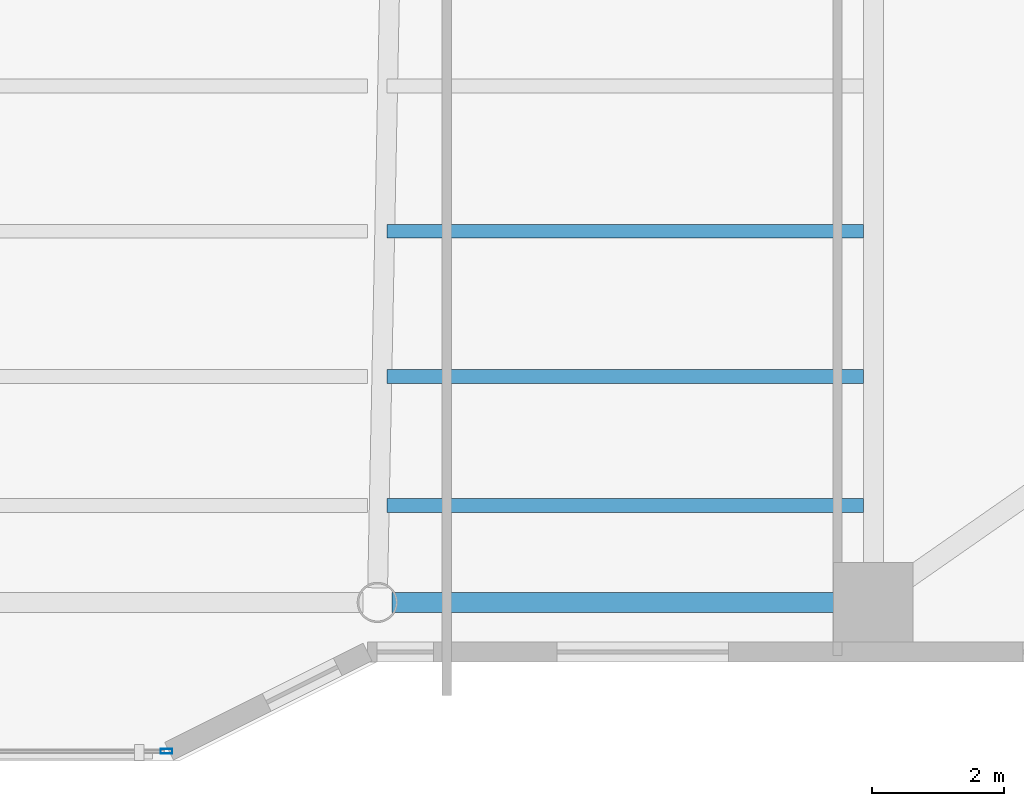
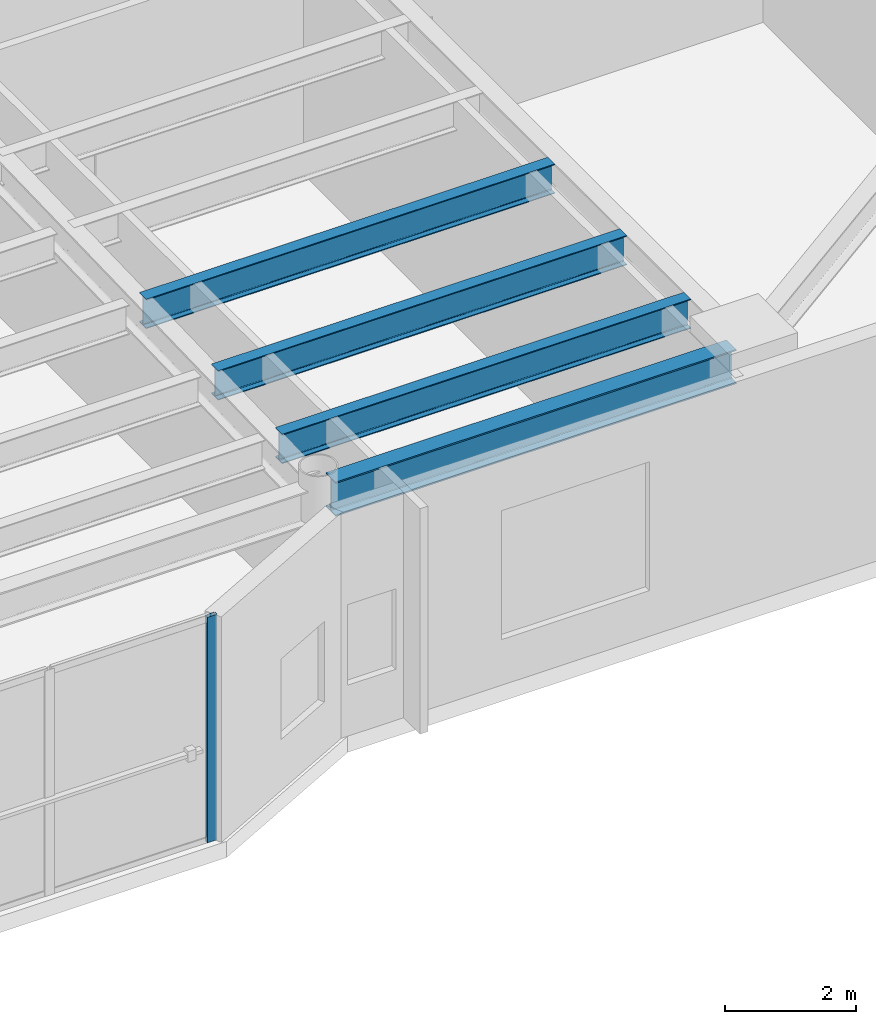
# One storey, part 11 of 39: 4 beams, 1 member, 1 element without a shape of its own.
"""IFC4 building model written with IfcOpenShell, lengths in metres."""

from ifc_helpers import new_model, si_unit, direction, frame, origin, origin_2d, place, context, subcontext, project, spatial, hollow_rectangle, i_section, extrude, material, layer, layer_set, material_profile, profile_set, type_object, element, aggregate, save


model = new_model("IFC4")

# Units and contexts
model_context = context("Model", 3, precision=1e-05, world=origin(), true_north=direction((0.0, 1.0)))
body_context = subcontext(model_context, "Body", "Model", "MODEL_VIEW")
ifc_project = project(units=[si_unit("LENGTHUNIT", "METRE"), si_unit("AREAUNIT", "SQUARE_METRE"), si_unit("VOLUMEUNIT", "CUBIC_METRE"), si_unit("PLANEANGLEUNIT", "RADIAN"), si_unit("MASSUNIT", "GRAM", prefix="KILO")], contexts=[model_context])

# Site, building, storey
site_placement = place(None, origin())
site = spatial("IfcSite", under=ifc_project, at=site_placement, CompositionType="ELEMENT")
building_placement = place(site_placement, origin())
building = spatial("IfcBuilding", under=site, at=building_placement, Name="Tarnavaz Court Tower", CompositionType="ELEMENT")
storey_placement = place(building_placement, frame((0.0, 0.0, 68.699951171875)))
storey = spatial("IfcBuildingStorey", under=building, at=storey_placement, Name="L18", CompositionType="ELEMENT", Elevation=68.699951171875)

# Beams
ifc_material_1 = material(Name="Steel S355", Category="steel")
ifc_material_profile_1 = material_profile(ifc_material_1, i_section(OverallWidth=0.2099609375, OverallDepth=0.550048828125, WebThickness=0.010986328125, FlangeThickness=0.01708984375, FilletRadius=0.02392578125, at=origin_2d()), Name="IPE 550")
ifc_profile_set_1 = profile_set([ifc_material_profile_1], Name="Steel S355")
beam_type_1 = type_object("IfcBeamType", Name="BM-J-IPE550", PredefinedType="JOIST", material=ifc_profile_set_1)
for number, where, z_axis, x_axis, name in (
    (1, (7.64990234375, -17.18798828125, 3.925048828125), (1.0, 0.0, 0.0), (0.0, 1.0, 0.0), "L18 Beam JS3-3"),
    (2, (7.64990234375, -19.384033203125, 3.925048828125), (1.0, 0.0, 0.0), (0.0, 1.0, 0.0), "L18 Beam JS4-3"),
    (3, (7.64990234375, -21.3359375, 3.925048828125), (1.0, 0.0, 0.0), (0.0, 1.0, 0.0), "L18 Beam JS5-3"),
):
    element("IfcBeam", number, at=place(storey_placement, frame(where, z_axis=z_axis, x_axis=x_axis)), inside=storey, type_object=beam_type_1, Name=name, PredefinedType="JOIST", context=body_context, shape_type="SweptSolid", body=[
        extrude(i_section(OverallWidth=0.2099609375, OverallDepth=0.550048828125, WebThickness=0.010986328125, FlangeThickness=0.01708984375, FilletRadius=0.02392578125, at=origin_2d()), origin(), (0.0, 0.0, 1.0), 7.2001953125),
    ])
ifc_material_profile_2 = material_profile(ifc_material_1, i_section(OverallWidth=0.300048828125, OverallDepth=0.639892578125, WebThickness=0.013427734375, FlangeThickness=0.02587890625, FilletRadius=0.027099609375, at=origin_2d()), Name="HEA 650")
ifc_profile_set_2 = profile_set([ifc_material_profile_2], Name="Steel S355")
beam_type_2 = type_object("IfcBeamType", Name="BM-SP-HEA650", PredefinedType="SPANDREL", material=ifc_profile_set_2)
beam_placement = place(storey_placement, frame((7.719970703125, -22.800048828125, 3.880126953125), z_axis=(1.0, 0.0, 0.0), x_axis=(0.0, 1.0, 0.0)))
element("IfcBeam", 4, at=beam_placement, inside=storey, type_object=beam_type_2, Name="L18 Beam PR-PS-3-PS-4", PredefinedType="SPANDREL", context=body_context, shape_type="SweptSolid", body=[
    extrude(i_section(OverallWidth=0.300048828125, OverallDepth=0.639892578125, WebThickness=0.013427734375, FlangeThickness=0.02587890625, FilletRadius=0.027099609375, at=origin_2d()), origin(), (0.0, 0.0, 1.0), 7.06005859375),
])

# Curtain wall, member
ifc_material_2 = material(Name="Anodised Aluminium 6063-T6 and Solar Low-E Glazing", Category="aluminium")
ifc_layer = layer(ifc_material_2, 0.179931640625)
ifc_layer_set = layer_set([ifc_layer], Name="Anodised Aluminium 6063-T6 and Solar Low-E Glazing")
curtain_wall_type = type_object("IfcCurtainWallType", Name="CW-SYS-02", PredefinedType="NOTDEFINED", material=ifc_layer_set)
curtain_wall_placement = place(storey_placement, origin())
curtain_wall = element("IfcCurtainWall", 5, at=curtain_wall_placement, inside=storey, type_object=curtain_wall_type, Name="L18 Iwan Prow Curtain Wall 17", PredefinedType="NOTDEFINED")
ifc_material_3 = material(Name="Anodised Aluminium 6063-T6", Category="aluminium")
ifc_material_profile_3 = material_profile(ifc_material_3, hollow_rectangle(XDim=0.074951171875, YDim=0.179931640625, WallThickness=0.0048828125, InnerFilletRadius=0.0048828125, OuterFilletRadius=0.010009765625, at=origin_2d()), Name="ALU RHS 180X75X5")
ifc_profile_set_3 = profile_set([ifc_material_profile_3], Name="Anodised Aluminium 6063-T6")
member_type = type_object("IfcMemberType", Name="CW-MUL-180", PredefinedType="MULLION", material=ifc_profile_set_3)
member_placement = place(storey_placement, frame((4.3125, -25.050048828125, 0.0), z_axis=(0.0, 0.0, 1.0), x_axis=(0.0, -1.0, 0.0)))
member = element("IfcMember", 6, at=member_placement, type_object=member_type, Name="CW mullion 1", PredefinedType="MULLION", context=body_context, shape_type="SweptSolid", body=[
    extrude(hollow_rectangle(XDim=0.074951171875, YDim=0.179931640625, WallThickness=0.0048828125, InnerFilletRadius=0.0048828125, OuterFilletRadius=0.010009765625, at=origin_2d()), origin(), (0.0, 0.0, 1.0), 4.199951171875),
])
aggregate(curtain_wall, [member])

save(model, "model.ifc")
